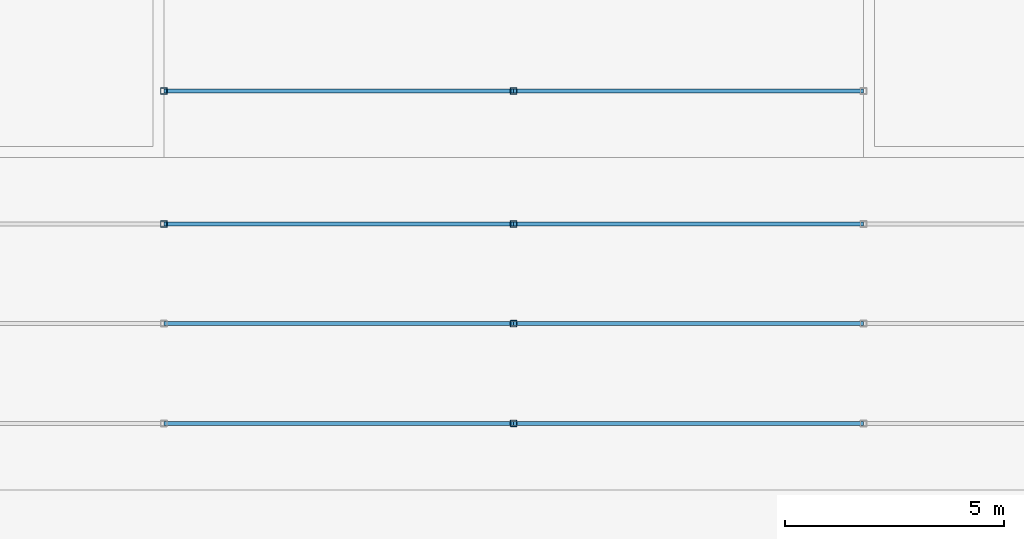
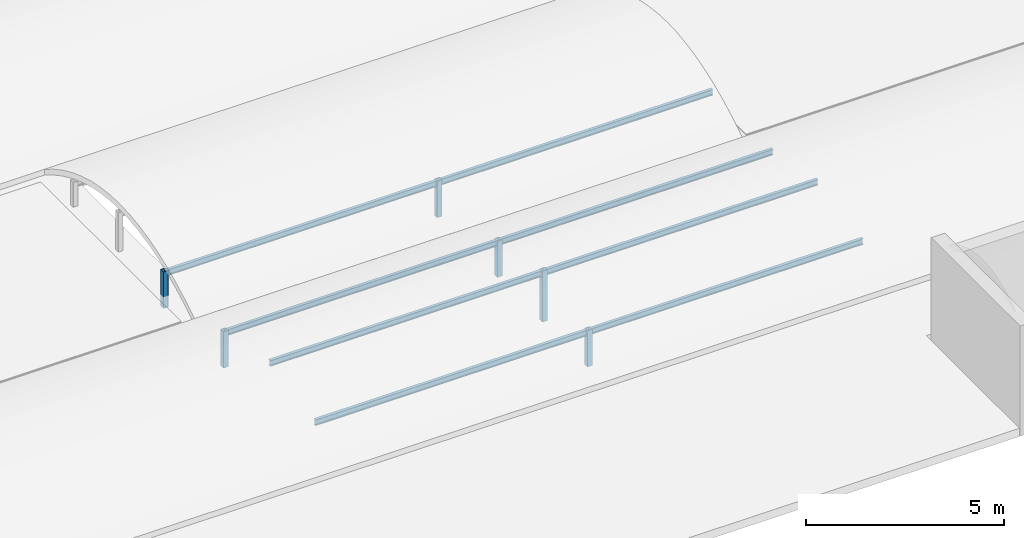
# One storey, part 2 of 8: 14 members.
"""IFC4 building model written with IfcOpenShell, lengths in metres."""

from ifc_helpers import new_model, si_unit, direction, frame, origin, origin_2d, place, context, subcontext, project, spatial, hollow_rectangle, i_section, extrude, material, material_profile, profile_set, type_object, element, save


model = new_model("IFC4")

# Units and contexts
model_context = context("Model", 3, precision=1e-05, world=origin(), true_north=direction((0.0, 1.0)))
body_context = subcontext(model_context, "Body", "Model", "MODEL_VIEW")
ifc_project = project(units=[si_unit("LENGTHUNIT", "METRE"), si_unit("AREAUNIT", "SQUARE_METRE"), si_unit("VOLUMEUNIT", "CUBIC_METRE"), si_unit("PLANEANGLEUNIT", "RADIAN"), si_unit("MASSUNIT", "GRAM", prefix="KILO")], contexts=[model_context])

# Site, building, storey
site_placement = place(None, origin())
site = spatial("IfcSite", under=ifc_project, at=site_placement, CompositionType="ELEMENT")
building_placement = place(site_placement, origin())
building = spatial("IfcBuilding", under=site, at=building_placement, Name="Shalkamar Park Central Library", CompositionType="ELEMENT")
storey_placement = place(building_placement, frame((0.0, 0.0, 77.699951171875)))
storey = spatial("IfcBuildingStorey", under=building, at=storey_placement, Name="ROOF", CompositionType="ELEMENT", Elevation=77.699951171875)

# Members
ifc_material = material(Name="Steel S355", Category="steel")
ifc_material_profile_1 = material_profile(ifc_material, hollow_rectangle(XDim=0.14990234375, YDim=0.14990234375, WallThickness=0.008056640625, InnerFilletRadius=0.008056640625, OuterFilletRadius=0.011962890625, at=origin_2d()), Name="SHS 150x150x8")
ifc_profile_set_1 = profile_set([ifc_material_profile_1], Name="Steel S355")
member_type_1 = type_object("IfcMemberType", Name="Diagonal Brace SHS150", PredefinedType="BRACE", material=ifc_profile_set_1)
for number, where, z_axis, x_axis, name in (
    (1, (181.0, 261.280029296875, -0.35986328125), (0.0, 0.0, 1.0), (1.0, 0.0, 0.0), "Vault Arch Post BV-L18-1-09.3"),
    (2, (189.0, 256.719970703125, -0.35986328125), (0.0, 0.0, 1.0), (1.0, 0.0, 0.0), "Vault Arch Post BV-L18-1-10.1"),
):
    element("IfcMember", number, at=place(storey_placement, frame(where, z_axis=z_axis, x_axis=x_axis)), inside=storey, type_object=member_type_1, Name=name, PredefinedType="BRACE", context=body_context, shape_type="SweptSolid", body=[
        extrude(hollow_rectangle(XDim=0.14990234375, YDim=0.14990234375, WallThickness=0.008056640625, InnerFilletRadius=0.008056640625, OuterFilletRadius=0.011962890625, at=origin_2d()), origin(), (0.0, 0.0, 1.0), 1.119873046875),
    ])
member_placement = place(storey_placement, frame((189.0, 259.0, -0.35986328125), z_axis=(0.0, 0.0, 1.0), x_axis=(1.0, 0.0, 0.0)))
element("IfcMember", 3, at=member_placement, inside=storey, type_object=member_type_1, Name="Vault Arch Post BV-L18-1-10.2", PredefinedType="BRACE", context=body_context, shape_type="SweptSolid", body=[
    extrude(hollow_rectangle(XDim=0.14990234375, YDim=0.14990234375, WallThickness=0.008056640625, InnerFilletRadius=0.008056640625, OuterFilletRadius=0.011962890625, at=origin_2d()), origin(), (0.0, 0.0, 1.0), 1.56982421875),
])
for number, where, z_axis, x_axis, name in (
    (4, (189.0, 261.280029296875, -0.35986328125), (0.0, 0.0, 1.0), (1.0, 0.0, 0.0), "Vault Arch Post BV-L18-1-10.3"),
    (5, (181.0, 264.320068359375, -0.35986328125), (0.0, 0.0, 1.0), (1.0, 0.0, 0.0), "Vault Arch Post BV-L18-2-09.1"),
    (6, (189.0, 264.320068359375, -0.35986328125), (0.0, 0.0, 1.0), (1.0, 0.0, 0.0), "Vault Arch Post BV-L18-2-10.1"),
):
    element("IfcMember", number, at=place(storey_placement, frame(where, z_axis=z_axis, x_axis=x_axis)), inside=storey, type_object=member_type_1, Name=name, PredefinedType="BRACE", context=body_context, shape_type="SweptSolid", body=[
        extrude(hollow_rectangle(XDim=0.14990234375, YDim=0.14990234375, WallThickness=0.008056640625, InnerFilletRadius=0.008056640625, OuterFilletRadius=0.011962890625, at=origin_2d()), origin(), (0.0, 0.0, 1.0), 1.119873046875),
    ])
ifc_material_profile_2 = material_profile(ifc_material, i_section(OverallWidth=0.091064453125, OverallDepth=0.179931640625, WebThickness=0.00537109375, FlangeThickness=0.008056640625, FilletRadius=0.009033203125, at=origin_2d()), Name="IPE 180")
ifc_profile_set_2 = profile_set([ifc_material_profile_2], Name="Steel S355")
member_type_2 = type_object("IfcMemberType", Name="Roof Purlin IPE180", PredefinedType="PURLIN", material=ifc_profile_set_2)
for number, where, z_axis, x_axis, name in (
    (7, (181.0, 256.719970703125, 0.670166015625), (1.0, 0.0, 0.0), (0.0, 1.0, 0.0), "Barrel Roof Purlin BV-L18-1-1.09"),
    (8, (189.0, 256.719970703125, 0.670166015625), (1.0, 0.0, 0.0), (0.0, 1.0, 0.0), "Barrel Roof Purlin BV-L18-1-1.10"),
    (9, (181.0, 259.0, 1.1201171875), (1.0, 0.0, 0.0), (0.0, 1.0, 0.0), "Barrel Roof Purlin BV-L18-1-2.09"),
    (10, (189.0, 259.0, 1.1201171875), (1.0, 0.0, 0.0), (0.0, 1.0, 0.0), "Barrel Roof Purlin BV-L18-1-2.10"),
    (11, (181.0, 261.280029296875, 0.670166015625), (1.0, 0.0, 0.0), (0.0, 1.0, 0.0), "Barrel Roof Purlin BV-L18-1-3.09"),
    (12, (189.0, 261.280029296875, 0.670166015625), (1.0, 0.0, 0.0), (0.0, 1.0, 0.0), "Barrel Roof Purlin BV-L18-1-3.10"),
    (13, (181.0, 264.320068359375, 0.670166015625), (1.0, 0.0, 0.0), (0.0, 1.0, 0.0), "Barrel Roof Purlin BV-L18-2-1.09"),
    (14, (189.0, 264.320068359375, 0.670166015625), (1.0, 0.0, 0.0), (0.0, 1.0, 0.0), "Barrel Roof Purlin BV-L18-2-1.10"),
):
    element("IfcMember", number, at=place(storey_placement, frame(where, z_axis=z_axis, x_axis=x_axis)), inside=storey, type_object=member_type_2, Name=name, PredefinedType="PURLIN", context=body_context, shape_type="SweptSolid", body=[
        extrude(i_section(OverallWidth=0.091064453125, OverallDepth=0.179931640625, WebThickness=0.00537109375, FlangeThickness=0.008056640625, FilletRadius=0.009033203125, at=origin_2d()), origin(), (0.0, 0.0, 1.0), 8.0),
    ])

save(model, "model.ifc")
